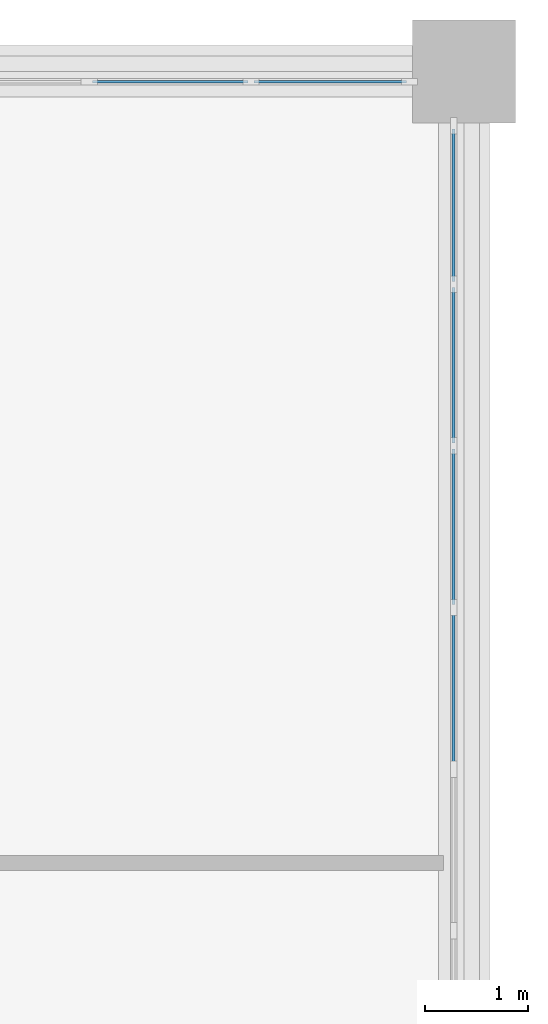
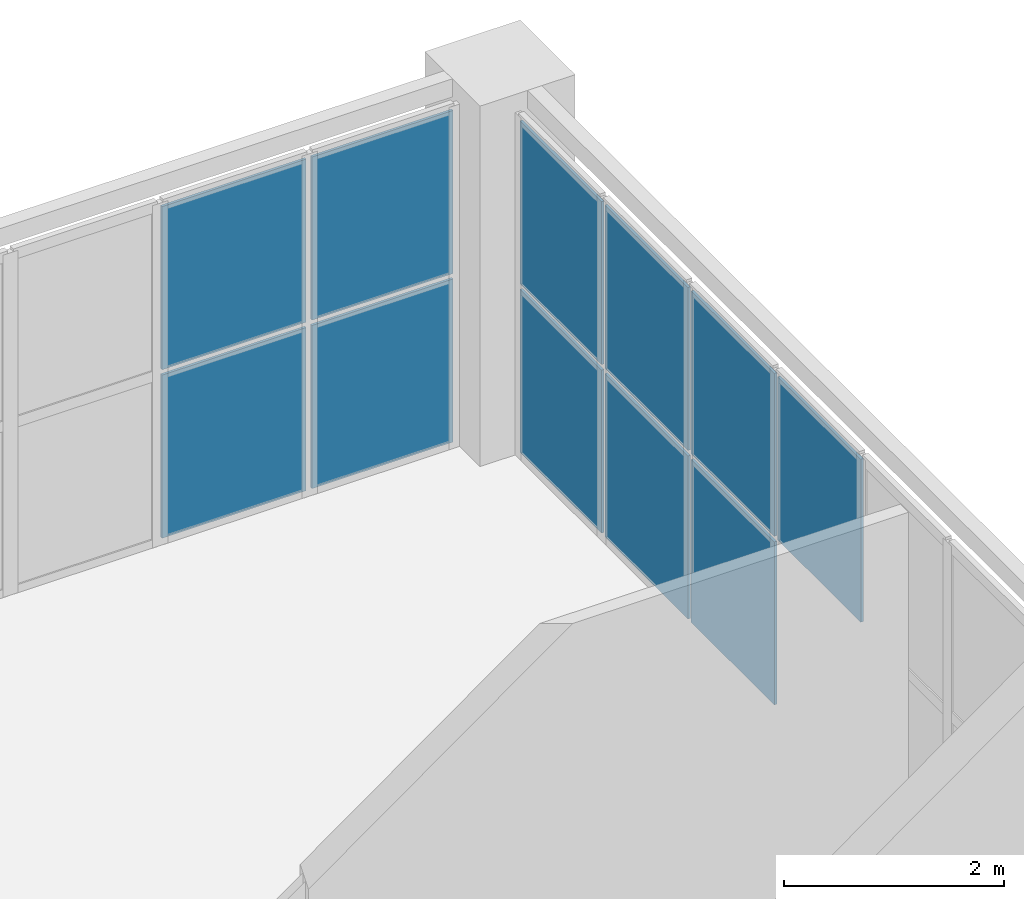
# One storey, part 140 of 156: 11 plates, 2 elements without a shape of their own.
"""IFC4 building model written with IfcOpenShell, lengths in metres."""

from ifc_helpers import new_model, si_unit, direction, frame, origin, origin_2d, place, context, subcontext, project, spatial, rectangle, extrude, material, layer, layer_set, type_object, element, aggregate, save


model = new_model("IFC4")

# Units and contexts
model_context = context("Model", 3, precision=1e-05, world=origin(), true_north=direction((0.0, 1.0)))
body_context = subcontext(model_context, "Body", "Model", "MODEL_VIEW")
ifc_project = project(units=[si_unit("LENGTHUNIT", "METRE"), si_unit("AREAUNIT", "SQUARE_METRE"), si_unit("VOLUMEUNIT", "CUBIC_METRE"), si_unit("PLANEANGLEUNIT", "RADIAN"), si_unit("MASSUNIT", "GRAM", prefix="KILO")], contexts=[model_context])

# Site, building, storey
site_placement = place(None, origin())
site = spatial("IfcSite", under=ifc_project, at=site_placement, CompositionType="ELEMENT")
building_placement = place(site_placement, origin())
building = spatial("IfcBuilding", under=site, at=building_placement, Name="Lilac Gate Convention Centre", CompositionType="ELEMENT")
storey_placement = place(building_placement, frame((0.0, 0.0, 17.0)))
storey = spatial("IfcBuildingStorey", under=building, at=storey_placement, Name="L03", CompositionType="ELEMENT", Elevation=17.0)

# Curtain wall, plates
ifc_material_1 = material(Name="Aluminium framed double glazing", Category="aluminium")
ifc_layer_1 = layer(ifc_material_1, 0.199951171875)
ifc_layer_set_1 = layer_set([ifc_layer_1], Name="Aluminium framed double glazing")
curtain_wall_type = type_object("IfcCurtainWallType", Name="Unitised curtain wall 1500", PredefinedType="NOTDEFINED", material=ifc_layer_set_1)
curtain_wall_1_placement = place(storey_placement, origin())
curtain_wall_1 = element("IfcCurtainWall", 1, at=curtain_wall_1_placement, inside=storey, type_object=curtain_wall_type, Name="Curtain wall E L03 2", PredefinedType="NOTDEFINED")
ifc_material_2 = material(Name="Double glazed unit low emissivity")
ifc_layer_2 = layer(ifc_material_2, 0.028076171875)
ifc_layer_set_2 = layer_set([ifc_layer_2], Name="Double glazed unit low emissivity")
plate_type_1 = type_object("IfcPlateType", Name="Curtain wall glass panel 28", PredefinedType="CURTAIN_PANEL", material=ifc_layer_set_2)
plate_1_placement = place(storey_placement, frame((89.89990234375, 240.0, 1.929931640625), z_axis=(0.0, 0.0, 1.0), x_axis=(0.0, 1.0, 0.0)))
plate_1 = element("IfcPlate", 2, at=plate_1_placement, type_object=plate_type_1, Name="CW panel 4.2", PredefinedType="CURTAIN_PANEL", context=body_context, shape_type="SweptSolid", body=[
    extrude(rectangle(XDim=1.511474609375, YDim=0.028076171875, at=origin_2d()), origin(), (0.0, 0.0, 1.0), 1.81005859375),
])
plate_2_placement = place(storey_placement, frame((89.89990234375, 241.571533203125, 1.929931640625), z_axis=(0.0, 0.0, 1.0), x_axis=(0.0, 1.0, 0.0)))
plate_2 = element("IfcPlate", 3, at=plate_2_placement, type_object=plate_type_1, Name="CW panel 5.2", PredefinedType="CURTAIN_PANEL", context=body_context, shape_type="SweptSolid", body=[
    extrude(rectangle(XDim=1.511474609375, YDim=0.028076171875, at=origin_2d()), origin(), (0.0, 0.0, 1.0), 1.81005859375),
])
plate_3_placement = place(storey_placement, frame((89.89990234375, 243.142822265625, 1.929931640625), z_axis=(0.0, 0.0, 1.0), x_axis=(0.0, 1.0, 0.0)))
plate_3 = element("IfcPlate", 4, at=plate_3_placement, type_object=plate_type_1, Name="CW panel 6.2", PredefinedType="CURTAIN_PANEL", context=body_context, shape_type="SweptSolid", body=[
    extrude(rectangle(XDim=1.511474609375, YDim=0.028076171875, at=origin_2d()), origin(), (0.0, 0.0, 1.0), 1.81005859375),
])
plate_4_placement = place(storey_placement, frame((89.89990234375, 244.69921875, 1.929931640625), z_axis=(0.0, 0.0, 1.0), x_axis=(0.0, 1.0, 0.0)))
plate_4 = element("IfcPlate", 5, at=plate_4_placement, type_object=plate_type_1, Name="CW panel 7.2", PredefinedType="CURTAIN_PANEL", context=body_context, shape_type="SweptSolid", body=[
    extrude(rectangle(XDim=1.4814453125, YDim=0.028076171875, at=origin_2d()), origin(), (0.0, 0.0, 1.0), 1.81005859375),
])

curtain_wall_2_placement = place(storey_placement, origin())
curtain_wall_2 = element("IfcCurtainWall", 6, at=curtain_wall_2_placement, inside=storey, type_object=curtain_wall_type, Name="Curtain wall N L03 1", PredefinedType="NOTDEFINED")
plate_5_placement = place(storey_placement, frame((88.69921875, 245.89990234375, 1.929931640625), z_axis=(0.0, 0.0, 1.0), x_axis=(-1.0, 0.0, 0.0)))
plate_5 = element("IfcPlate", 7, at=plate_5_placement, type_object=plate_type_1, Name="CW panel 1.2", PredefinedType="CURTAIN_PANEL", context=body_context, shape_type="SweptSolid", body=[
    extrude(rectangle(XDim=1.4814453125, YDim=0.028076171875, at=origin_2d()), origin(), (0.0, 0.0, 1.0), 1.81005859375),
])
plate_6_placement = place(storey_placement, frame((87.142822265625, 245.89990234375, 1.929931640625), z_axis=(0.0, 0.0, 1.0), x_axis=(-1.0, 0.0, 0.0)))
plate_6 = element("IfcPlate", 8, at=plate_6_placement, type_object=plate_type_1, Name="CW panel 2.2", PredefinedType="CURTAIN_PANEL", context=body_context, shape_type="SweptSolid", body=[
    extrude(rectangle(XDim=1.511474609375, YDim=0.028076171875, at=origin_2d()), origin(), (0.0, 0.0, 1.0), 1.81005859375),
])

# Plate
ifc_material_3 = material(Name="Insulated aluminium spandrel panel", Category="aluminium")
ifc_layer_3 = layer(ifc_material_3, 0.028076171875)
ifc_layer_set_3 = layer_set([ifc_layer_3], Name="Insulated aluminium spandrel panel")
plate_type_2 = type_object("IfcPlateType", Name="Curtain wall spandrel panel 28", PredefinedType="CURTAIN_PANEL", material=ifc_layer_set_3)
plate_7_placement = place(storey_placement, frame((89.89990234375, 241.571533203125, 0.06005859375), z_axis=(0.0, 0.0, 1.0), x_axis=(0.0, 1.0, 0.0)))
plate_7 = element("IfcPlate", 9, at=plate_7_placement, type_object=plate_type_2, Name="CW spandrel 5.1", PredefinedType="CURTAIN_PANEL", context=body_context, shape_type="SweptSolid", body=[
    extrude(rectangle(XDim=1.511474609375, YDim=0.028076171875, at=origin_2d()), origin(), (0.0, 0.0, 1.0), 1.81005859375),
])

plate_8_placement = place(storey_placement, frame((89.89990234375, 243.142822265625, 0.06005859375), z_axis=(0.0, 0.0, 1.0), x_axis=(0.0, 1.0, 0.0)))
plate_8 = element("IfcPlate", 10, at=plate_8_placement, type_object=plate_type_2, Name="CW spandrel 6.1", PredefinedType="CURTAIN_PANEL", context=body_context, shape_type="SweptSolid", body=[
    extrude(rectangle(XDim=1.511474609375, YDim=0.028076171875, at=origin_2d()), origin(), (0.0, 0.0, 1.0), 1.81005859375),
])

plate_9_placement = place(storey_placement, frame((89.89990234375, 244.69921875, 0.06005859375), z_axis=(0.0, 0.0, 1.0), x_axis=(0.0, 1.0, 0.0)))
plate_9 = element("IfcPlate", 11, at=plate_9_placement, type_object=plate_type_2, Name="CW spandrel 7.1", PredefinedType="CURTAIN_PANEL", context=body_context, shape_type="SweptSolid", body=[
    extrude(rectangle(XDim=1.4814453125, YDim=0.028076171875, at=origin_2d()), origin(), (0.0, 0.0, 1.0), 1.81005859375),
])

aggregate(curtain_wall_1, [plate_1, plate_7, plate_2, plate_8, plate_3, plate_9, plate_4])

plate_10_placement = place(storey_placement, frame((88.69921875, 245.89990234375, 0.06005859375), z_axis=(0.0, 0.0, 1.0), x_axis=(-1.0, 0.0, 0.0)))
plate_10 = element("IfcPlate", 12, at=plate_10_placement, type_object=plate_type_2, Name="CW spandrel 1.1", PredefinedType="CURTAIN_PANEL", context=body_context, shape_type="SweptSolid", body=[
    extrude(rectangle(XDim=1.4814453125, YDim=0.028076171875, at=origin_2d()), origin(), (0.0, 0.0, 1.0), 1.81005859375),
])

plate_11_placement = place(storey_placement, frame((87.142822265625, 245.89990234375, 0.06005859375), z_axis=(0.0, 0.0, 1.0), x_axis=(-1.0, 0.0, 0.0)))
plate_11 = element("IfcPlate", 13, at=plate_11_placement, type_object=plate_type_2, Name="CW spandrel 2.1", PredefinedType="CURTAIN_PANEL", context=body_context, shape_type="SweptSolid", body=[
    extrude(rectangle(XDim=1.511474609375, YDim=0.028076171875, at=origin_2d()), origin(), (0.0, 0.0, 1.0), 1.81005859375),
])

aggregate(curtain_wall_2, [plate_10, plate_5, plate_11, plate_6])

save(model, "model.ifc")
